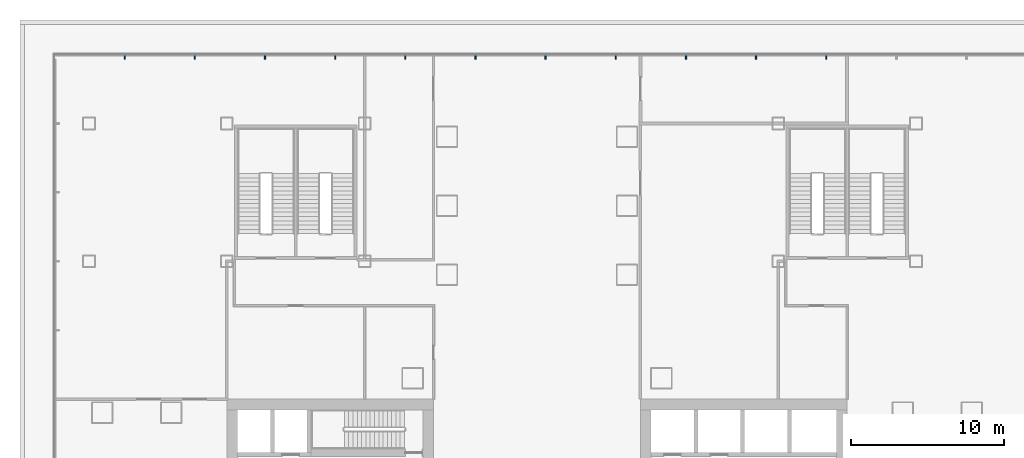
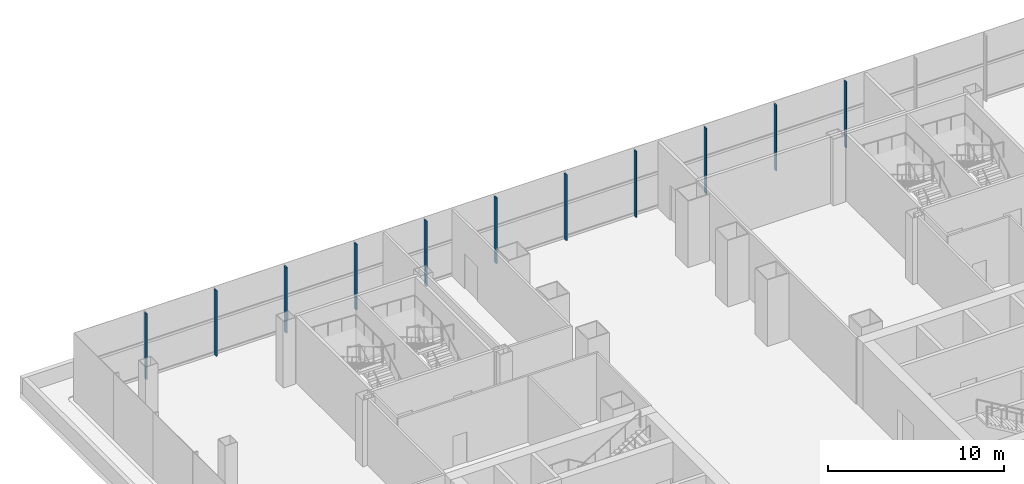
# One storey, part 10 of 33: 11 members, 1 element without a shape of its own.
"""IFC4 building model written with IfcOpenShell, lengths in metres."""

from ifc_helpers import new_model, si_unit, direction, frame, origin, origin_2d, place, context, subcontext, project, spatial, rectangle, extrude, material, layer, layer_set, material_profile, profile_set, type_object, element, aggregate, save


model = new_model("IFC4")

# Units and contexts
model_context = context("Model", 3, precision=1e-05, world=origin(), true_north=direction((0.0, 1.0)))
body_context = subcontext(model_context, "Body", "Model", "MODEL_VIEW")
ifc_project = project(units=[si_unit("LENGTHUNIT", "METRE"), si_unit("AREAUNIT", "SQUARE_METRE"), si_unit("VOLUMEUNIT", "CUBIC_METRE"), si_unit("PLANEANGLEUNIT", "RADIAN"), si_unit("MASSUNIT", "GRAM", prefix="KILO")], contexts=[model_context])

# Site, building, storey
site_placement = place(None, origin())
site = spatial("IfcSite", under=ifc_project, at=site_placement, CompositionType="ELEMENT")
building_placement = place(site_placement, origin())
building = spatial("IfcBuilding", under=site, at=building_placement, Name="Shamsa Quay Exchange Towers", CompositionType="ELEMENT")
storey_placement = place(building_placement, frame((0.0, 0.0, 18.5)))
storey = spatial("IfcBuildingStorey", under=building, at=storey_placement, Name="L03", CompositionType="ELEMENT", Elevation=18.5)

# Curtain wall, members
ifc_material = material(Name="Aluminium EN AW-6063 T6, black anodised", Category="aluminium")
ifc_layer = layer(ifc_material, 0.33203125)
ifc_layer_set = layer_set([ifc_layer], Name="CW-3 PODIUM SHOPFRONT GLAZING")
curtain_wall_type = type_object("IfcCurtainWallType", Name="CW-3 PODIUM SHOPFRONT GLAZING", PredefinedType="NOTDEFINED", material=ifc_layer_set)
curtain_wall_placement = place(storey_placement, origin())
curtain_wall = element("IfcCurtainWall", 1, at=curtain_wall_placement, inside=storey, type_object=curtain_wall_type, Name="CW3 PODIUM-L03-F01", PredefinedType="NOTDEFINED")
ifc_material_profile = material_profile(ifc_material, rectangle(XDim=0.219970703125, YDim=0.080078125, at=origin_2d()), Name="MU80x220")
ifc_profile_set = profile_set([ifc_material_profile], Name="Aluminium EN AW-6063 T6, black anodised")
member_type = type_object("IfcMemberType", Name="CW3 MULLION 80x220", PredefinedType="MULLION", material=ifc_profile_set)
member_1_placement = place(storey_placement, frame((-14.865966796875, 29.06005859375, 0.0), z_axis=(0.0, 0.0, 1.0), x_axis=(0.0, -1.0, 0.0)))
member_1 = element("IfcMember", 2, at=member_1_placement, type_object=member_type, Name="CW3 mullion", PredefinedType="MULLION", context=body_context, shape_type="SweptSolid", body=[
    extrude(rectangle(XDim=0.219970703125, YDim=0.080078125, at=origin_2d()), origin(), (0.0, 0.0, 1.0), 4.550048828125),
])
member_2_placement = place(storey_placement, frame((-19.446533203125, 29.06005859375, 0.0), z_axis=(0.0, 0.0, 1.0), x_axis=(0.0, -1.0, 0.0)))
member_2 = element("IfcMember", 3, at=member_2_placement, type_object=member_type, Name="CW3 mullion", PredefinedType="MULLION", context=body_context, shape_type="SweptSolid", body=[
    extrude(rectangle(XDim=0.219970703125, YDim=0.080078125, at=origin_2d()), origin(), (0.0, 0.0, 1.0), 4.550048828125),
])
member_3_placement = place(storey_placement, frame((-24.02685546875, 29.06005859375, 0.0), z_axis=(0.0, 0.0, 1.0), x_axis=(0.0, -1.0, 0.0)))
member_3 = element("IfcMember", 4, at=member_3_placement, type_object=member_type, Name="CW3 mullion", PredefinedType="MULLION", context=body_context, shape_type="SweptSolid", body=[
    extrude(rectangle(XDim=0.219970703125, YDim=0.080078125, at=origin_2d()), origin(), (0.0, 0.0, 1.0), 4.550048828125),
])
member_4_placement = place(storey_placement, frame((-28.607177734375, 29.06005859375, 0.0), z_axis=(0.0, 0.0, 1.0), x_axis=(0.0, -1.0, 0.0)))
member_4 = element("IfcMember", 5, at=member_4_placement, type_object=member_type, Name="CW3 mullion", PredefinedType="MULLION", context=body_context, shape_type="SweptSolid", body=[
    extrude(rectangle(XDim=0.219970703125, YDim=0.080078125, at=origin_2d()), origin(), (0.0, 0.0, 1.0), 4.550048828125),
])
member_5_placement = place(storey_placement, frame((-33.1875, 29.06005859375, 0.0), z_axis=(0.0, 0.0, 1.0), x_axis=(0.0, -1.0, 0.0)))
member_5 = element("IfcMember", 6, at=member_5_placement, type_object=member_type, Name="CW3 mullion", PredefinedType="MULLION", context=body_context, shape_type="SweptSolid", body=[
    extrude(rectangle(XDim=0.219970703125, YDim=0.080078125, at=origin_2d()), origin(), (0.0, 0.0, 1.0), 4.550048828125),
])
member_6_placement = place(storey_placement, frame((-37.767822265625, 29.06005859375, 0.0), z_axis=(0.0, 0.0, 1.0), x_axis=(0.0, -1.0, 0.0)))
member_6 = element("IfcMember", 7, at=member_6_placement, type_object=member_type, Name="CW3 mullion", PredefinedType="MULLION", context=body_context, shape_type="SweptSolid", body=[
    extrude(rectangle(XDim=0.219970703125, YDim=0.080078125, at=origin_2d()), origin(), (0.0, 0.0, 1.0), 4.550048828125),
])
member_7_placement = place(storey_placement, frame((-42.34814453125, 29.06005859375, 0.0), z_axis=(0.0, 0.0, 1.0), x_axis=(0.0, -1.0, 0.0)))
member_7 = element("IfcMember", 8, at=member_7_placement, type_object=member_type, Name="CW3 mullion", PredefinedType="MULLION", context=body_context, shape_type="SweptSolid", body=[
    extrude(rectangle(XDim=0.219970703125, YDim=0.080078125, at=origin_2d()), origin(), (0.0, 0.0, 1.0), 4.550048828125),
])
member_8_placement = place(storey_placement, frame((-46.928466796875, 29.06005859375, 0.0), z_axis=(0.0, 0.0, 1.0), x_axis=(0.0, -1.0, 0.0)))
member_8 = element("IfcMember", 9, at=member_8_placement, type_object=member_type, Name="CW3 mullion", PredefinedType="MULLION", context=body_context, shape_type="SweptSolid", body=[
    extrude(rectangle(XDim=0.219970703125, YDim=0.080078125, at=origin_2d()), origin(), (0.0, 0.0, 1.0), 4.550048828125),
])
member_9_placement = place(storey_placement, frame((-51.509033203125, 29.06005859375, 0.0), z_axis=(0.0, 0.0, 1.0), x_axis=(0.0, -1.0, 0.0)))
member_9 = element("IfcMember", 10, at=member_9_placement, type_object=member_type, Name="CW3 mullion", PredefinedType="MULLION", context=body_context, shape_type="SweptSolid", body=[
    extrude(rectangle(XDim=0.219970703125, YDim=0.080078125, at=origin_2d()), origin(), (0.0, 0.0, 1.0), 4.550048828125),
])
member_10_placement = place(storey_placement, frame((-56.08935546875, 29.06005859375, 0.0), z_axis=(0.0, 0.0, 1.0), x_axis=(0.0, -1.0, 0.0)))
member_10 = element("IfcMember", 11, at=member_10_placement, type_object=member_type, Name="CW3 mullion", PredefinedType="MULLION", context=body_context, shape_type="SweptSolid", body=[
    extrude(rectangle(XDim=0.219970703125, YDim=0.080078125, at=origin_2d()), origin(), (0.0, 0.0, 1.0), 4.550048828125),
])
member_11_placement = place(storey_placement, frame((-60.669677734375, 29.06005859375, 0.0), z_axis=(0.0, 0.0, 1.0), x_axis=(0.0, -1.0, 0.0)))
member_11 = element("IfcMember", 12, at=member_11_placement, type_object=member_type, Name="CW3 mullion", PredefinedType="MULLION", context=body_context, shape_type="SweptSolid", body=[
    extrude(rectangle(XDim=0.219970703125, YDim=0.080078125, at=origin_2d()), origin(), (0.0, 0.0, 1.0), 4.550048828125),
])
aggregate(curtain_wall, [member_1, member_2, member_3, member_4, member_5, member_6, member_7, member_8, member_9, member_10, member_11])

save(model, "model.ifc")
